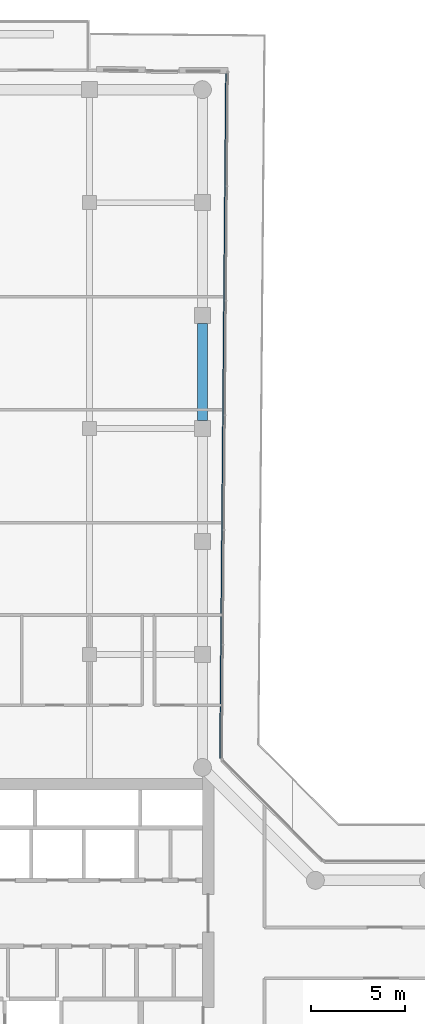
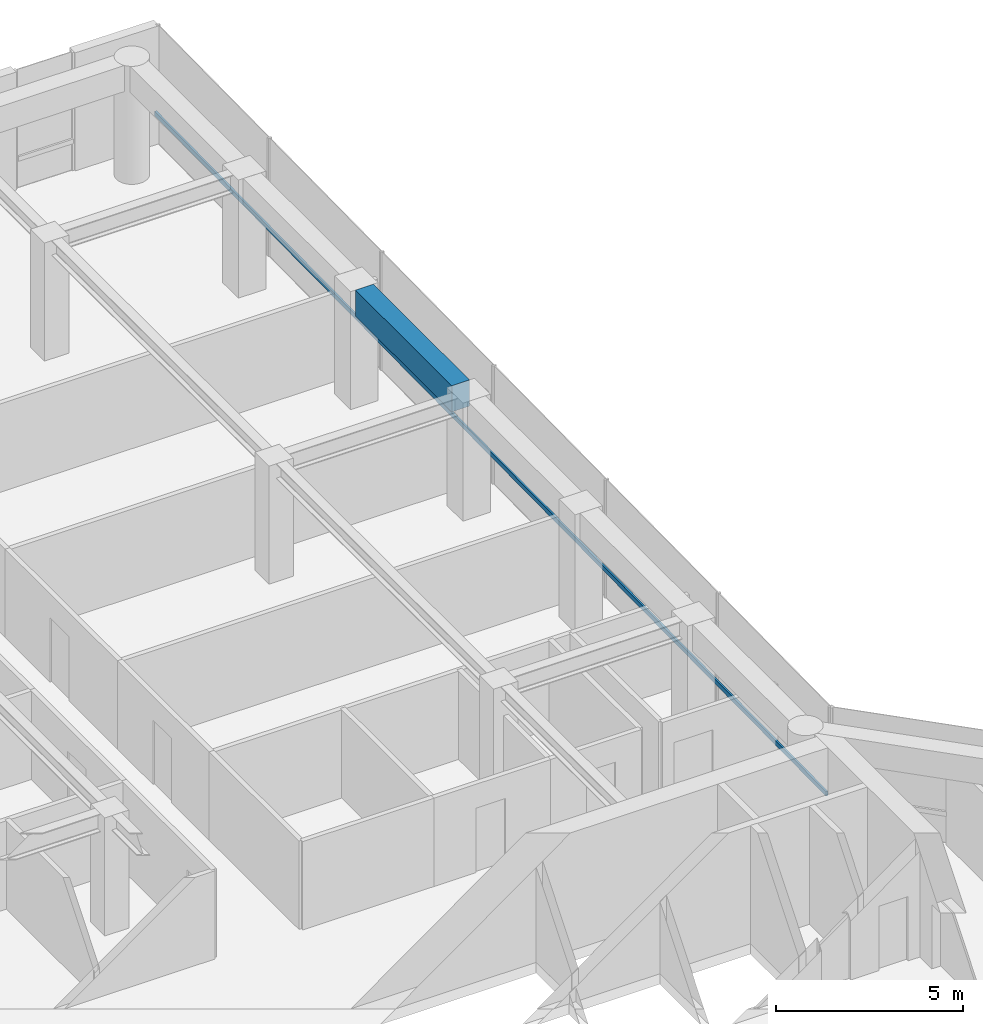
# One storey, part 12 of 19: 1 beam, 1 member, 1 element without a shape of its own.
"""IFC4 building model written with IfcOpenShell, lengths in metres."""

from ifc_helpers import new_model, si_unit, direction, frame, origin, origin_2d, place, context, subcontext, project, spatial, rectangle, extrude, material, layer, layer_set, material_profile, profile_set, type_object, element, aggregate, save


model = new_model("IFC4")

# Units and contexts
model_context = context("Model", 3, precision=1e-05, world=origin(), true_north=direction((0.0, 1.0)))
body_context = subcontext(model_context, "Body", "Model", "MODEL_VIEW")
ifc_project = project(units=[si_unit("LENGTHUNIT", "METRE"), si_unit("AREAUNIT", "SQUARE_METRE"), si_unit("VOLUMEUNIT", "CUBIC_METRE"), si_unit("PLANEANGLEUNIT", "RADIAN"), si_unit("MASSUNIT", "GRAM", prefix="KILO")], contexts=[model_context])

# Site, building, storey
site_placement = place(None, origin())
site = spatial("IfcSite", under=ifc_project, at=site_placement, CompositionType="ELEMENT")
building_placement = place(site_placement, origin())
building = spatial("IfcBuilding", under=site, at=building_placement, Name="Welwitschia Terrace Campus", CompositionType="ELEMENT")
storey_placement = place(building_placement, frame((0.0, 0.0, 167.60009765625)))
storey = spatial("IfcBuildingStorey", under=building, at=storey_placement, Name="L37", CompositionType="ELEMENT", Elevation=167.60009765625)

# Beam
ifc_material_1 = material(Name="Concrete C50/60", Category="concrete")
ifc_material_profile_1 = material_profile(ifc_material_1, rectangle(XDim=0.550048828125, YDim=0.85009765625, at=origin_2d()))
ifc_profile_set_1 = profile_set([ifc_material_profile_1], Name="Concrete C50/60")
beam_type = type_object("IfcBeamType", Name="Ring spandrel 550x850", PredefinedType="SPANDREL", material=ifc_profile_set_1)
beam_placement = place(storey_placement, frame((24.0, 44.425537109375, 3.4248046875), z_axis=(0.0, 1.0, 0.0), x_axis=(-1.0, 0.0, 0.0)))
element("IfcBeam", 1, at=beam_placement, inside=storey, type_object=beam_type, Name="Spandrel SP3", PredefinedType="SPANDREL", context=body_context, shape_type="SweptSolid", body=[
    extrude(rectangle(XDim=0.550048828125, YDim=0.85009765625, at=origin_2d()), origin(), (0.0, 0.0, 1.0), 5.14892578125),
])

# Curtain wall, member
ifc_material_2 = material(Name="Bronze anodised aluminium", Category="aluminium")
ifc_layer = layer(ifc_material_2, 0.1201171875)
ifc_layer_set = layer_set([ifc_layer], Name="Bronze anodised aluminium")
curtain_wall_type = type_object("IfcCurtainWallType", Name="Curtain wall CW2 tower 6000", PredefinedType="NOTDEFINED", material=ifc_layer_set)
curtain_wall_placement = place(storey_placement, origin())
curtain_wall = element("IfcCurtainWall", 2, at=curtain_wall_placement, inside=storey, type_object=curtain_wall_type, Name="CW L37.11.0", PredefinedType="NOTDEFINED")
ifc_material_3 = material(Name="Bronze anodised aluminium", Category="aluminium")
ifc_material_profile_2 = material_profile(ifc_material_3, rectangle(XDim=0.06005859375, YDim=0.14990234375, at=origin_2d()))
ifc_profile_set_2 = profile_set([ifc_material_profile_2], Name="Bronze anodised aluminium")
member_type = type_object("IfcMemberType", Name="Transom 60x150", PredefinedType="USERDEFINED", material=ifc_profile_set_2)
member_placement = place(storey_placement, frame((24.940673828125, 26.4873046875, 1.0), z_axis=(0.008726969635, 0.999961919275, 0.0), x_axis=(-0.999961919275, 0.008726969635, 0.0)))
member = element("IfcMember", 3, at=member_placement, type_object=member_type, Name="Transom L37.11.0", ObjectType="TRANSOM", PredefinedType="USERDEFINED", context=body_context, shape_type="SweptSolid", body=[
    extrude(rectangle(XDim=0.06005859375, YDim=0.14990234375, at=origin_2d()), origin(), (0.0, 0.0, 1.0), 36.424072265625),
])
aggregate(curtain_wall, [member])

save(model, "model.ifc")
